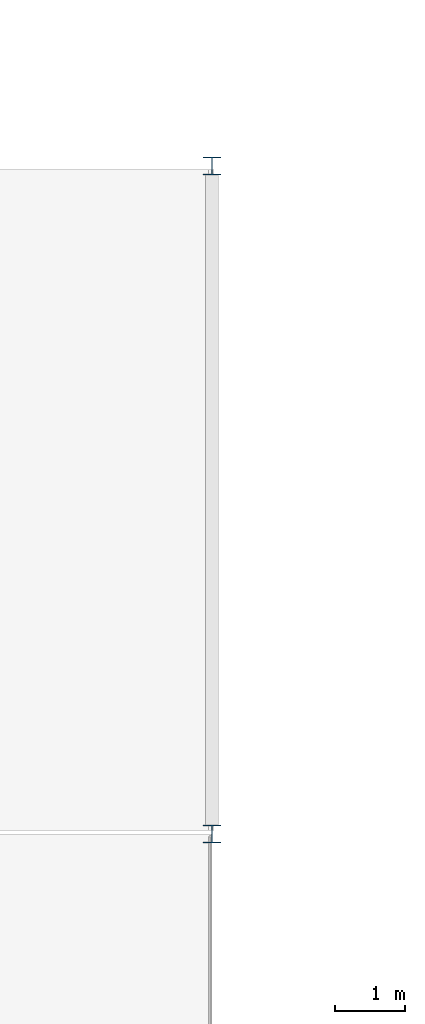
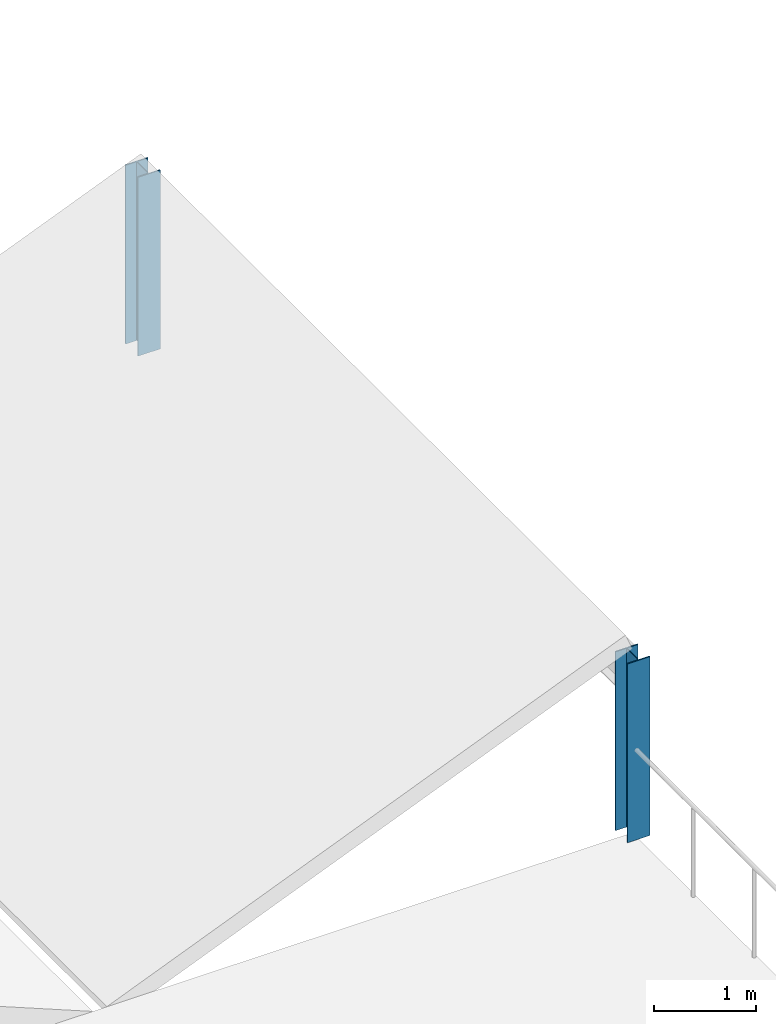
# One storey, part 2 of 83: 2 columns.
"""IFC4 building model written with IfcOpenShell, lengths in metres."""

from ifc_helpers import new_model, si_unit, direction, frame, origin, origin_2d, place, context, subcontext, project, spatial, i_section, extrude, material, material_profile, profile_set, type_object, element, save


model = new_model("IFC4")

# Units and contexts
model_context = context("Model", 3, precision=1e-05, world=origin(), true_north=direction((0.0, 1.0)))
body_context = subcontext(model_context, "Body", "Model", "MODEL_VIEW")
ifc_project = project(units=[si_unit("LENGTHUNIT", "METRE"), si_unit("AREAUNIT", "SQUARE_METRE"), si_unit("VOLUMEUNIT", "CUBIC_METRE"), si_unit("PLANEANGLEUNIT", "RADIAN"), si_unit("MASSUNIT", "GRAM", prefix="KILO")], contexts=[model_context])

# Site, building, storey
site_placement = place(None, origin())
site = spatial("IfcSite", under=ifc_project, at=site_placement, CompositionType="ELEMENT")
building_placement = place(site_placement, origin())
building = spatial("IfcBuilding", under=site, at=building_placement, Name="Pandanus Reach Market Hall", CompositionType="ELEMENT")
storey_placement = place(building_placement, frame((0.0, 0.0, 10.199951171875)))
storey = spatial("IfcBuildingStorey", under=building, at=storey_placement, Name="L02", CompositionType="ELEMENT", Elevation=10.199951171875)

# Columns
ifc_material = material(Name="Steel Grade 350 (350 MPa)", Category="steel")
ifc_material_profile = material_profile(ifc_material, i_section(OverallWidth=0.25390625, OverallDepth=0.25390625, WebThickness=0.008544921875, FlangeThickness=0.01416015625, at=origin_2d()), Name="250UC72.9", Category="LoadBearing")
ifc_profile_set = profile_set([ifc_material_profile], Name="Steel Grade 350 (350 MPa)")
column_type = type_object("IfcColumnType", Name="CL-UC250-I", PredefinedType="COLUMN", material=ifc_profile_set)
for number, where, z_axis, x_axis, name in (
    (1, (36.0, 19.199951171875, 0.0), (0.0, 0.0, 1.0), (1.0, 0.0, 0.0), "Butterfly shell ridge support post L02.15"),
    (2, (36.0, 28.800048828125, 0.0), (0.0, 0.0, 1.0), (1.0, 0.0, 0.0), "Butterfly shell ridge support post L02.16"),
):
    element("IfcColumn", number, at=place(storey_placement, frame(where, z_axis=z_axis, x_axis=x_axis)), inside=storey, type_object=column_type, Name=name, PredefinedType="COLUMN", context=body_context, shape_type="SweptSolid", body=[
        extrude(i_section(OverallWidth=0.25390625, OverallDepth=0.25390625, WebThickness=0.008544921875, FlangeThickness=0.01416015625, at=origin_2d()), origin(), (0.0, 0.0, 1.0), 2.14013671875),
    ])

save(model, "model.ifc")
